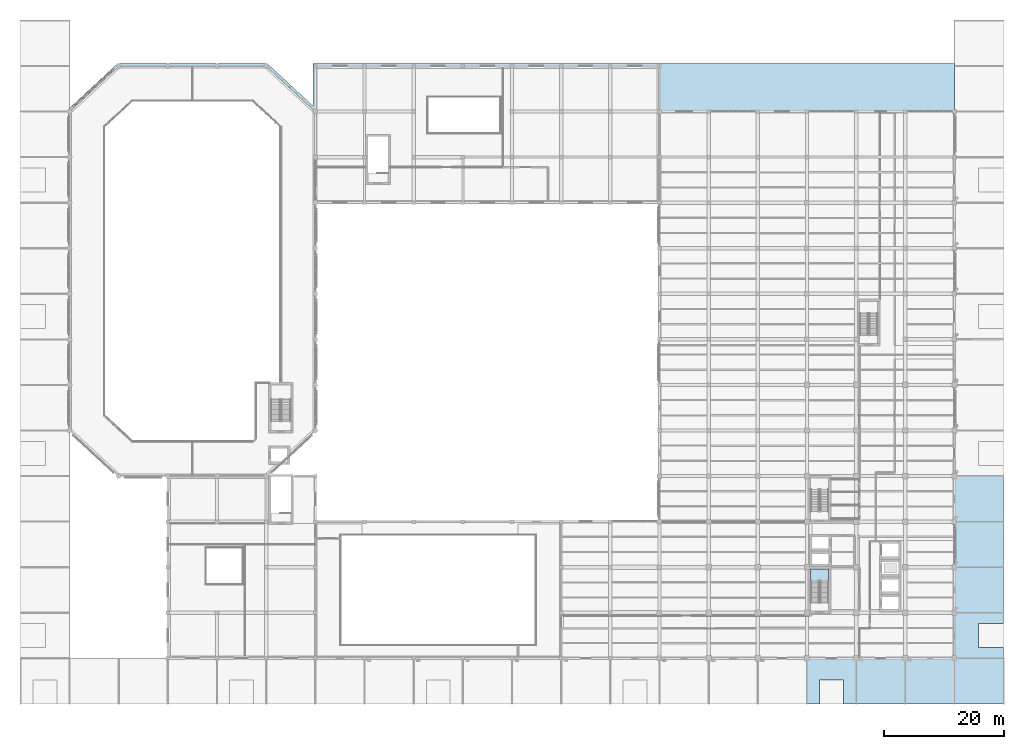
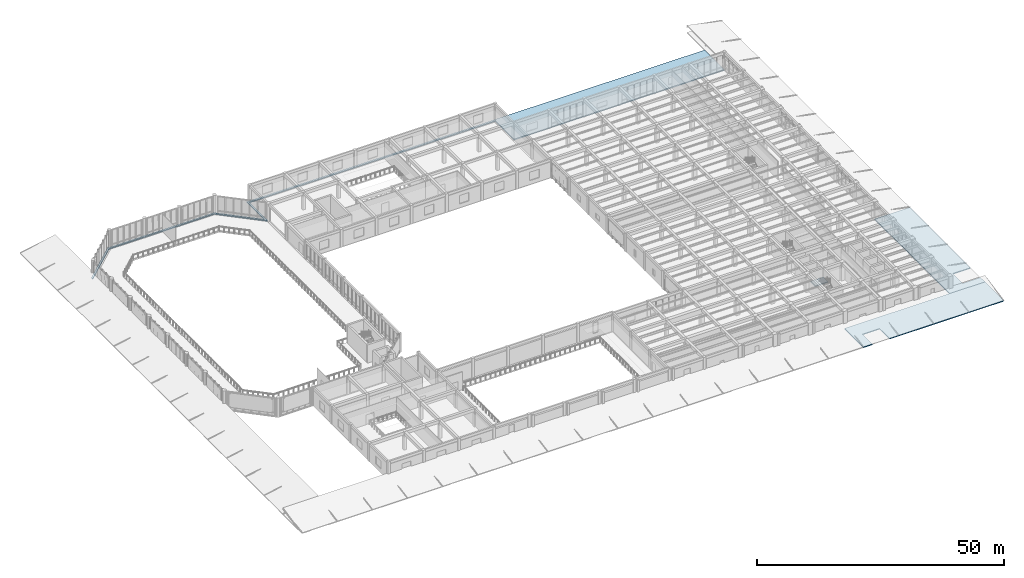
# One storey, part 34 of 57: 4 slabs, 1 element without a shape of its own.
"""IFC4 building model written with IfcOpenShell, lengths in metres."""

from ifc_helpers import new_model, si_unit, direction, frame, origin, place, context, subcontext, project, spatial, polyline, outline, extrude, material, layer, layer_set, type_object, element, aggregate, save


model = new_model("IFC4")

# Units and contexts
model_context = context("Model", 3, precision=1e-05, world=origin(), true_north=direction((0.0, 1.0)))
body_context = subcontext(model_context, "Body", "Model", "MODEL_VIEW")
ifc_project = project(units=[si_unit("LENGTHUNIT", "METRE"), si_unit("AREAUNIT", "SQUARE_METRE"), si_unit("VOLUMEUNIT", "CUBIC_METRE"), si_unit("PLANEANGLEUNIT", "RADIAN"), si_unit("MASSUNIT", "GRAM", prefix="KILO")], contexts=[model_context])

# Site, building, storey
site_placement = place(None, origin())
site = spatial("IfcSite", under=ifc_project, at=site_placement, CompositionType="ELEMENT")
building_placement = place(site_placement, origin())
building = spatial("IfcBuilding", under=site, at=building_placement, Name="Qandaris Square Conservatory and Botanical Centre", CompositionType="ELEMENT")
storey_placement = place(building_placement, frame((0.0, 0.0, 5.39990234375)))
storey = spatial("IfcBuildingStorey", under=building, at=storey_placement, Name="L01", CompositionType="ELEMENT", Elevation=5.39990234375)

# Slabs
ifc_material = material(Name="Concrete C40/50", Category="concrete")
ifc_layer_1 = layer(ifc_material, 0.22509765625)
ifc_layer_set_1 = layer_set([ifc_layer_1], Name="Concrete C40/50")
slab_type_1 = type_object("IfcSlabType", Name="RC Flat Roof Slab 225mm", PredefinedType="ROOF", material=ifc_layer_set_1)
slab_1_placement = place(storey_placement, frame((0.0, 0.0, -0.224853515625)))
element("IfcSlab", 1, at=slab_1_placement, inside=storey, type_object=slab_type_1, Name="Square Colonnade Structural Canopy Deck COLS-5", PredefinedType="ROOF", context=body_context, shape_type="SweptSolid", body=[
    extrude(outline(polyline([(139.199951171875, 9.0), (139.199951171875, 16.60009765625), (172.0, 16.60009765625), (172.0, 9.0), (145.300048828125, 9.0), (145.300048828125, 13.0), (141.300048828125, 13.0), (141.300048828125, 9.0), (139.199951171875, 9.0)])), origin(), (0.0, 0.0, 1.0), 0.224853515625),
])
slab_2_placement = place(storey_placement, frame((0.0, 0.0, -0.224853515625)))
element("IfcSlab", 2, at=slab_2_placement, inside=storey, type_object=slab_type_1, Name="Square Colonnade Structural Canopy Deck COLE-1", PredefinedType="ROOF", context=body_context, shape_type="SweptSolid", body=[
    extrude(outline(polyline([(172.0, 16.60009765625), (163.800048828125, 16.60009765625), (163.800048828125, 47.0), (172.0, 47.0), (172.0, 22.39990234375), (167.800048828125, 22.39990234375), (167.800048828125, 18.39990234375), (172.0, 18.39990234375), (172.0, 16.60009765625)])), origin(), (0.0, 0.0, 1.0), 0.224853515625),
])
ifc_layer_2 = layer(ifc_material, 0.2548828125)
ifc_layer_set_2 = layer_set([ifc_layer_2], Name="Concrete C40/50")
slab_type_2 = type_object("IfcSlabType", Name="RC Flat Roof Slab 255mm", PredefinedType="ROOF", material=ifc_layer_set_2)
slab_3_placement = place(storey_placement, frame((0.0, 0.0, -0.2548828125)))
element("IfcSlab", 3, at=slab_3_placement, inside=storey, type_object=slab_type_2, Name="Step-Back Flat Roof Slab L01-1", PredefinedType="ROOF", context=body_context, shape_type="SweptSolid", body=[
    extrude(outline(polyline([(49.164794921875, 115.820068359375), (56.780029296875, 108.761962890625), (56.780029296875, 115.820068359375), (163.780029296875, 115.820068359375), (163.780029296875, 107.820068359375), (114.6201171875, 107.820068359375), (114.6201171875, 115.419921875), (57.179931640625, 115.419921875), (57.179931640625, 107.845703125), (49.0078125, 115.419921875), (24.39208984375, 115.419921875), (16.219970703125, 107.845703125), (16.219970703125, 108.39111328125), (24.2353515625, 115.820068359375), (49.164794921875, 115.820068359375)])), origin(), (0.0, 0.0, 1.0), 0.2548828125),
])

# Stair, slab
stair_type = type_object("IfcStairType", Name="Core Escape Scissor Stair", PredefinedType="HALF_TURN_STAIR", material=ifc_material)
stair_placement = place(storey_placement, origin())
stair = element("IfcStair", 4, at=stair_placement, inside=storey, type_object=stair_type, Name="L01 Tower South Exit Stair ST-1", PredefinedType="HALF_TURN_STAIR")
ifc_layer_3 = layer(ifc_material, 0.219970703125)
ifc_layer_set_3 = layer_set([ifc_layer_3], Name="Concrete C40/50")
slab_type_3 = type_object("IfcSlabType", Name="RC Stair Half-Landing Slab 220mm", PredefinedType="LANDING", material=ifc_layer_set_3)
slab_4_placement = place(storey_placement, frame((0.0, 0.0, 2.2001953125)))
slab_4 = element("IfcSlab", 5, at=slab_4_placement, type_object=slab_type_3, Name="ST-1 landing 1", PredefinedType="LANDING", context=body_context, shape_type="SweptSolid", body=[
    extrude(outline(polyline([(142.800048828125, 29.5400390625), (142.800048828125, 31.5), (139.800048828125, 31.5), (139.800048828125, 29.5400390625), (142.800048828125, 29.5400390625)])), origin(), (0.0, 0.0, 1.0), 0.199951171875),
])
aggregate(stair, [slab_4])

save(model, "model.ifc")
